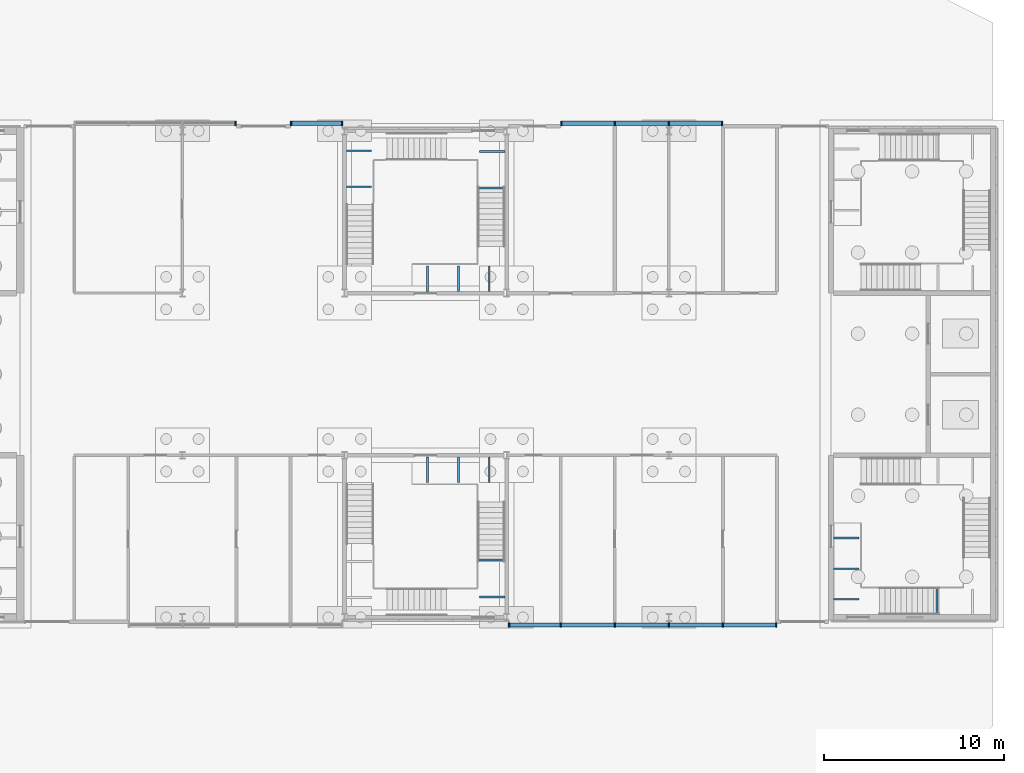
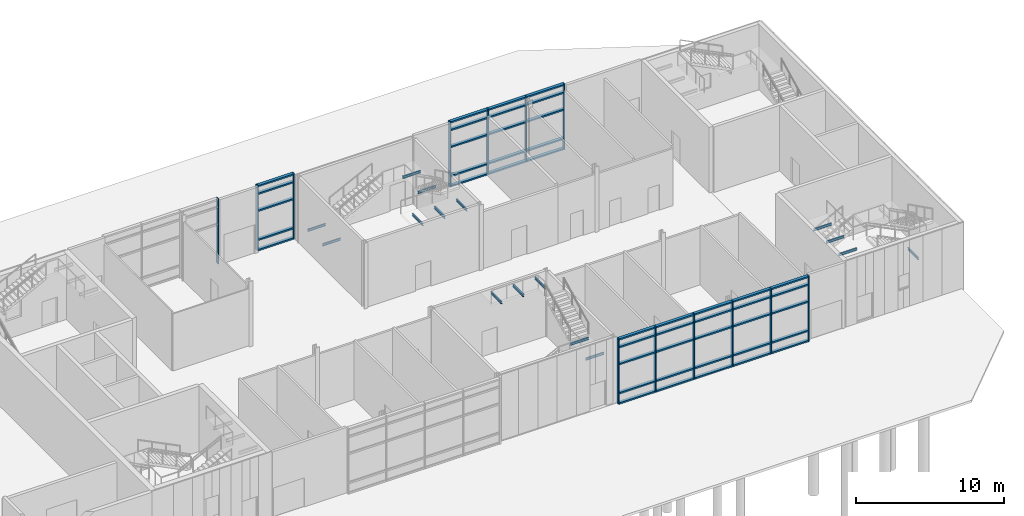
# One storey, part 19 of 45: 58 members, 16 beams, 4 elements without a shape of their own.
"""IFC4 building model written with IfcOpenShell, lengths in metres."""

from ifc_helpers import new_model, si_unit, direction, frame, origin, origin_2d, place, context, subcontext, project, spatial, rectangle, i_section, extrude, material, material_profile, profile_set, type_object, element, aggregate, save


model = new_model("IFC4")

# Units and contexts
model_context = context("Model", 3, precision=1e-05, world=origin(), true_north=direction((0.0, 1.0)))
body_context = subcontext(model_context, "Body", "Model", "MODEL_VIEW")
ifc_project = project(units=[si_unit("LENGTHUNIT", "METRE"), si_unit("AREAUNIT", "SQUARE_METRE"), si_unit("VOLUMEUNIT", "CUBIC_METRE"), si_unit("PLANEANGLEUNIT", "RADIAN"), si_unit("MASSUNIT", "GRAM", prefix="KILO")], contexts=[model_context])

# Site, building, storey
site_placement = place(None, origin())
site = spatial("IfcSite", under=ifc_project, at=site_placement, CompositionType="ELEMENT")
building_placement = place(site_placement, origin())
building = spatial("IfcBuilding", under=site, at=building_placement, Name="Azimuth Sports and Learning Centre", CompositionType="ELEMENT")
storey_placement = place(building_placement, origin())
storey = spatial("IfcBuildingStorey", under=building, at=storey_placement, Name="L00", CompositionType="ELEMENT", Elevation=0.0)

# Beams
ifc_material_1 = material(Name="Steel S355", Category="steel")
ifc_material_profile_1 = material_profile(ifc_material_1, i_section(OverallWidth=0.10009765625, OverallDepth=0.199951171875, WebThickness=0.005615234375, FlangeThickness=0.008544921875, FilletRadius=0.011962890625, at=origin_2d()), Name="IPE 200")
ifc_profile_set_1 = profile_set([ifc_material_profile_1], Name="Steel S355")
beam_type = type_object("IfcBeamType", Name="Beam IPE 200", PredefinedType="BEAM", material=ifc_profile_set_1)
for number, where, z_axis, x_axis, name in (
    (1, (167.87744140625, 90.14990234375, 3.300048828125), (0.0, 1.0, 0.0), (-1.0, 0.0, 0.0), "Landing bracket EW1 L00 783"),
    (2, (162.14990234375, 91.00830078125, 5.10009765625), (1.0, 0.0, 0.0), (0.0, 1.0, 0.0), "Landing bracket EW1 L00 785"),
    (3, (162.14990234375, 92.705078125, 5.10009765625), (1.0, 0.0, 0.0), (0.0, 1.0, 0.0), "Landing bracket EW1 L00 786"),
    (4, (162.14990234375, 94.401611328125, 5.10009765625), (1.0, 0.0, 0.0), (0.0, 1.0, 0.0), "Landing bracket EW1 L00 787"),
):
    element("IfcBeam", number, at=place(storey_placement, frame(where, z_axis=z_axis, x_axis=x_axis)), inside=storey, type_object=beam_type, Name=name, PredefinedType="BEAM", context=body_context, shape_type="SweptSolid", body=[
        extrude(i_section(OverallWidth=0.10009765625, OverallDepth=0.199951171875, WebThickness=0.005615234375, FlangeThickness=0.008544921875, FilletRadius=0.011962890625, at=origin_2d()), origin(), (0.0, 0.0, 1.0), 1.41015625),
    ])
for number, where, z_axis, x_axis, name in (
    (5, (143.89990234375, 91.135009765625, 3.300048828125), (-1.0, 0.0, 0.0), (0.0, -1.0, 0.0), "Landing bracket EM1 L00 919"),
    (6, (143.89990234375, 93.18505859375, 3.300048828125), (-1.0, 0.0, 0.0), (0.0, -1.0, 0.0), "Landing bracket EM1 L00 920"),
    (7, (139.606689453125, 98.89990234375, 5.10009765625), (0.0, -1.0, 0.0), (1.0, 0.0, 0.0), "Landing bracket EM1 L00 921"),
    (8, (141.320068359375, 98.89990234375, 5.10009765625), (0.0, -1.0, 0.0), (1.0, 0.0, 0.0), "Landing bracket EM1 L00 922"),
    (9, (143.033447265625, 98.89990234375, 5.10009765625), (0.0, -1.0, 0.0), (1.0, 0.0, 0.0), "Landing bracket EM1 L00 923"),
    (10, (135.10009765625, 113.904541015625, 1.5), (1.0, 0.0, 0.0), (0.0, 1.0, 0.0), "Landing bracket EM2 L00 951"),
    (11, (135.10009765625, 115.894775390625, 1.5), (1.0, 0.0, 0.0), (0.0, 1.0, 0.0), "Landing bracket EM2 L00 952"),
    (12, (143.89990234375, 113.81494140625, 3.300048828125), (-1.0, 0.0, 0.0), (0.0, -1.0, 0.0), "Landing bracket EM2 L00 953"),
    (13, (143.89990234375, 115.864990234375, 3.300048828125), (-1.0, 0.0, 0.0), (0.0, -1.0, 0.0), "Landing bracket EM2 L00 954"),
    (14, (139.606689453125, 108.10009765625, 5.10009765625), (0.0, 1.0, 0.0), (-1.0, 0.0, 0.0), "Landing bracket EM2 L00 955"),
    (15, (141.320068359375, 108.10009765625, 5.10009765625), (0.0, 1.0, 0.0), (-1.0, 0.0, 0.0), "Landing bracket EM2 L00 956"),
    (16, (143.033447265625, 108.10009765625, 5.10009765625), (0.0, 1.0, 0.0), (-1.0, 0.0, 0.0), "Landing bracket EM2 L00 957"),
):
    element("IfcBeam", number, at=place(storey_placement, frame(where, z_axis=z_axis, x_axis=x_axis)), inside=storey, type_object=beam_type, Name=name, PredefinedType="BEAM", context=body_context, shape_type="SweptSolid", body=[
        extrude(i_section(OverallWidth=0.10009765625, OverallDepth=0.199951171875, WebThickness=0.005615234375, FlangeThickness=0.008544921875, FilletRadius=0.011962890625, at=origin_2d()), origin(), (0.0, 0.0, 1.0), 1.409912109375),
    ])

# Curtain wall, members
ifc_material_2 = material(Name="Aluminium and glass", Category="aluminium")
curtain_wall_type = type_object("IfcCurtainWallType", Name="Curtain wall podium wing 240", PredefinedType="NOTDEFINED", material=ifc_material_2)
curtain_wall_1_placement = place(storey_placement, origin())
curtain_wall_1 = element("IfcCurtainWall", 17, at=curtain_wall_1_placement, inside=storey, type_object=curtain_wall_type, Name="Curtain wall CW00-010", PredefinedType="NOTDEFINED")
ifc_material_3 = material(Name="Aluminium", Category="aluminium")
ifc_material_profile_2 = material_profile(ifc_material_3, rectangle(XDim=0.239990234375, YDim=0.080078125, at=origin_2d()), Name="Mullion 80x240")
ifc_profile_set_2 = profile_set([ifc_material_profile_2], Name="Aluminium")
member_type_1 = type_object("IfcMemberType", Name="Mullion 80x240", PredefinedType="MULLION", material=ifc_profile_set_2)
member_1_placement = place(storey_placement, frame((144.139892578125, 89.580078125, 0.0), z_axis=(0.0, 0.0, 1.0), x_axis=(0.0, 1.0, 0.0)))
member_1 = element("IfcMember", 18, at=member_1_placement, type_object=member_type_1, Name="CW00-010 mullion 1", PredefinedType="MULLION", context=body_context, shape_type="SweptSolid", body=[
    extrude(rectangle(XDim=0.239990234375, YDim=0.080078125, at=origin_2d()), origin(), (0.0, 0.0, 1.0), 5.39990234375),
])
member_2_placement = place(storey_placement, frame((147.0, 89.580078125, 0.0), z_axis=(0.0, 0.0, 1.0), x_axis=(0.0, 1.0, 0.0)))
member_2 = element("IfcMember", 19, at=member_2_placement, type_object=member_type_1, Name="CW00-010 mullion 2", PredefinedType="MULLION", context=body_context, shape_type="SweptSolid", body=[
    extrude(rectangle(XDim=0.239990234375, YDim=0.080078125, at=origin_2d()), origin(), (0.0, 0.0, 1.0), 5.39990234375),
])
member_3_placement = place(storey_placement, frame((150.0, 89.580078125, 0.0), z_axis=(0.0, 0.0, 1.0), x_axis=(0.0, 1.0, 0.0)))
member_3 = element("IfcMember", 20, at=member_3_placement, type_object=member_type_1, Name="CW00-010 mullion 3", PredefinedType="MULLION", context=body_context, shape_type="SweptSolid", body=[
    extrude(rectangle(XDim=0.239990234375, YDim=0.080078125, at=origin_2d()), origin(), (0.0, 0.0, 1.0), 5.39990234375),
])
member_4_placement = place(storey_placement, frame((153.0, 89.580078125, 0.0), z_axis=(0.0, 0.0, 1.0), x_axis=(0.0, 1.0, 0.0)))
member_4 = element("IfcMember", 21, at=member_4_placement, type_object=member_type_1, Name="CW00-010 mullion 4", PredefinedType="MULLION", context=body_context, shape_type="SweptSolid", body=[
    extrude(rectangle(XDim=0.239990234375, YDim=0.080078125, at=origin_2d()), origin(), (0.0, 0.0, 1.0), 5.39990234375),
])
member_5_placement = place(storey_placement, frame((156.0, 89.580078125, 0.0), z_axis=(0.0, 0.0, 1.0), x_axis=(0.0, 1.0, 0.0)))
member_5 = element("IfcMember", 22, at=member_5_placement, type_object=member_type_1, Name="CW00-010 mullion 5", PredefinedType="MULLION", context=body_context, shape_type="SweptSolid", body=[
    extrude(rectangle(XDim=0.239990234375, YDim=0.080078125, at=origin_2d()), origin(), (0.0, 0.0, 1.0), 5.39990234375),
])
member_6_placement = place(storey_placement, frame((158.9599609375, 89.580078125, 0.0), z_axis=(0.0, 0.0, 1.0), x_axis=(0.0, 1.0, 0.0)))
member_6 = element("IfcMember", 23, at=member_6_placement, type_object=member_type_1, Name="CW00-010 mullion 6", PredefinedType="MULLION", context=body_context, shape_type="SweptSolid", body=[
    extrude(rectangle(XDim=0.239990234375, YDim=0.080078125, at=origin_2d()), origin(), (0.0, 0.0, 1.0), 5.39990234375),
])

curtain_wall_2_placement = place(storey_placement, origin())
curtain_wall_2 = element("IfcCurtainWall", 24, at=curtain_wall_2_placement, inside=storey, type_object=curtain_wall_type, Name="Curtain wall CW00-011", PredefinedType="NOTDEFINED")
member_7_placement = place(storey_placement, frame((155.9599609375, 117.419921875, 0.0), z_axis=(0.0, 0.0, 1.0), x_axis=(0.0, -1.0, 0.0)))
member_7 = element("IfcMember", 25, at=member_7_placement, type_object=member_type_1, Name="CW00-011 mullion 1", PredefinedType="MULLION", context=body_context, shape_type="SweptSolid", body=[
    extrude(rectangle(XDim=0.239990234375, YDim=0.080078125, at=origin_2d()), origin(), (0.0, 0.0, 1.0), 5.39990234375),
])
member_8_placement = place(storey_placement, frame((153.0, 117.419921875, 0.0), z_axis=(0.0, 0.0, 1.0), x_axis=(0.0, -1.0, 0.0)))
member_8 = element("IfcMember", 26, at=member_8_placement, type_object=member_type_1, Name="CW00-011 mullion 2", PredefinedType="MULLION", context=body_context, shape_type="SweptSolid", body=[
    extrude(rectangle(XDim=0.239990234375, YDim=0.080078125, at=origin_2d()), origin(), (0.0, 0.0, 1.0), 5.39990234375),
])
member_9_placement = place(storey_placement, frame((150.0, 117.419921875, 0.0), z_axis=(0.0, 0.0, 1.0), x_axis=(0.0, -1.0, 0.0)))
member_9 = element("IfcMember", 27, at=member_9_placement, type_object=member_type_1, Name="CW00-011 mullion 3", PredefinedType="MULLION", context=body_context, shape_type="SweptSolid", body=[
    extrude(rectangle(XDim=0.239990234375, YDim=0.080078125, at=origin_2d()), origin(), (0.0, 0.0, 1.0), 5.39990234375),
])
member_10_placement = place(storey_placement, frame((147.0400390625, 117.419921875, 0.0), z_axis=(0.0, 0.0, 1.0), x_axis=(0.0, -1.0, 0.0)))
member_10 = element("IfcMember", 28, at=member_10_placement, type_object=member_type_1, Name="CW00-011 mullion 4", PredefinedType="MULLION", context=body_context, shape_type="SweptSolid", body=[
    extrude(rectangle(XDim=0.239990234375, YDim=0.080078125, at=origin_2d()), origin(), (0.0, 0.0, 1.0), 5.39990234375),
])

curtain_wall_3_placement = place(storey_placement, origin())
curtain_wall_3 = element("IfcCurtainWall", 29, at=curtain_wall_3_placement, inside=storey, type_object=curtain_wall_type, Name="Curtain wall CW00-012", PredefinedType="NOTDEFINED")
member_11_placement = place(storey_placement, frame((134.860107421875, 117.419921875, 0.0), z_axis=(0.0, 0.0, 1.0), x_axis=(0.0, -1.0, 0.0)))
member_11 = element("IfcMember", 30, at=member_11_placement, type_object=member_type_1, Name="CW00-012 mullion 1", PredefinedType="MULLION", context=body_context, shape_type="SweptSolid", body=[
    extrude(rectangle(XDim=0.239990234375, YDim=0.080078125, at=origin_2d()), origin(), (0.0, 0.0, 1.0), 5.39990234375),
])
member_12_placement = place(storey_placement, frame((132.0400390625, 117.419921875, 0.0), z_axis=(0.0, 0.0, 1.0), x_axis=(0.0, -1.0, 0.0)))
member_12 = element("IfcMember", 31, at=member_12_placement, type_object=member_type_1, Name="CW00-012 mullion 2", PredefinedType="MULLION", context=body_context, shape_type="SweptSolid", body=[
    extrude(rectangle(XDim=0.239990234375, YDim=0.080078125, at=origin_2d()), origin(), (0.0, 0.0, 1.0), 5.39990234375),
])

# Curtain wall, member
curtain_wall_4_placement = place(storey_placement, origin())
curtain_wall_4 = element("IfcCurtainWall", 32, at=curtain_wall_4_placement, inside=storey, type_object=curtain_wall_type, Name="Curtain wall CW00-013", PredefinedType="NOTDEFINED")
member_13_placement = place(storey_placement, frame((128.9599609375, 117.419921875, 0.0), z_axis=(0.0, 0.0, 1.0), x_axis=(0.0, -1.0, 0.0)))
member_13 = element("IfcMember", 33, at=member_13_placement, type_object=member_type_1, Name="CW00-013 mullion 1", PredefinedType="MULLION", context=body_context, shape_type="SweptSolid", body=[
    extrude(rectangle(XDim=0.239990234375, YDim=0.080078125, at=origin_2d()), origin(), (0.0, 0.0, 1.0), 5.39990234375),
])
aggregate(curtain_wall_4, [member_13])

# Member
ifc_material_4 = material(Name="Aluminium", Category="aluminium")
ifc_material_profile_3 = material_profile(ifc_material_4, rectangle(XDim=0.239990234375, YDim=0.1201171875, at=origin_2d()), Name="Transom 120x240")
ifc_profile_set_3 = profile_set([ifc_material_profile_3], Name="Aluminium")
member_type_2 = type_object("IfcMemberType", Name="Transom 120x240", PredefinedType="USERDEFINED", material=ifc_profile_set_3)
member_14_placement = place(storey_placement, frame((144.179931640625, 89.580078125, 0.06005859375), z_axis=(1.0, 0.0, 0.0), x_axis=(0.0, 1.0, 0.0)))
member_14 = element("IfcMember", 34, at=member_14_placement, type_object=member_type_2, Name="CW00-010 transom 1.1", ObjectType="TRANSOM", PredefinedType="USERDEFINED", context=body_context, shape_type="SweptSolid", body=[
    extrude(rectangle(XDim=0.239990234375, YDim=0.1201171875, at=origin_2d()), origin(), (0.0, 0.0, 1.0), 2.780029296875),
])

member_15_placement = place(storey_placement, frame((144.179931640625, 89.580078125, 0.89990234375), z_axis=(1.0, 0.0, 0.0), x_axis=(0.0, 1.0, 0.0)))
member_15 = element("IfcMember", 35, at=member_15_placement, type_object=member_type_2, Name="CW00-010 transom 1.2", ObjectType="TRANSOM", PredefinedType="USERDEFINED", context=body_context, shape_type="SweptSolid", body=[
    extrude(rectangle(XDim=0.239990234375, YDim=0.1201171875, at=origin_2d()), origin(), (0.0, 0.0, 1.0), 2.780029296875),
])

member_16_placement = place(storey_placement, frame((144.179931640625, 89.580078125, 3.300048828125), z_axis=(1.0, 0.0, 0.0), x_axis=(0.0, 1.0, 0.0)))
member_16 = element("IfcMember", 36, at=member_16_placement, type_object=member_type_2, Name="CW00-010 transom 1.3", ObjectType="TRANSOM", PredefinedType="USERDEFINED", context=body_context, shape_type="SweptSolid", body=[
    extrude(rectangle(XDim=0.239990234375, YDim=0.1201171875, at=origin_2d()), origin(), (0.0, 0.0, 1.0), 2.780029296875),
])

member_17_placement = place(storey_placement, frame((144.179931640625, 89.580078125, 4.699951171875), z_axis=(1.0, 0.0, 0.0), x_axis=(0.0, 1.0, 0.0)))
member_17 = element("IfcMember", 37, at=member_17_placement, type_object=member_type_2, Name="CW00-010 transom 1.4", ObjectType="TRANSOM", PredefinedType="USERDEFINED", context=body_context, shape_type="SweptSolid", body=[
    extrude(rectangle(XDim=0.239990234375, YDim=0.1201171875, at=origin_2d()), origin(), (0.0, 0.0, 1.0), 2.780029296875),
])

member_18_placement = place(storey_placement, frame((144.179931640625, 89.580078125, 5.340087890625), z_axis=(1.0, 0.0, 0.0), x_axis=(0.0, 1.0, 0.0)))
member_18 = element("IfcMember", 38, at=member_18_placement, type_object=member_type_2, Name="CW00-010 transom 1.5", ObjectType="TRANSOM", PredefinedType="USERDEFINED", context=body_context, shape_type="SweptSolid", body=[
    extrude(rectangle(XDim=0.239990234375, YDim=0.1201171875, at=origin_2d()), origin(), (0.0, 0.0, 1.0), 2.780029296875),
])

member_19_placement = place(storey_placement, frame((147.0400390625, 89.580078125, 0.06005859375), z_axis=(1.0, 0.0, 0.0), x_axis=(0.0, 1.0, 0.0)))
member_19 = element("IfcMember", 39, at=member_19_placement, type_object=member_type_2, Name="CW00-010 transom 2.1", ObjectType="TRANSOM", PredefinedType="USERDEFINED", context=body_context, shape_type="SweptSolid", body=[
    extrude(rectangle(XDim=0.239990234375, YDim=0.1201171875, at=origin_2d()), origin(), (0.0, 0.0, 1.0), 2.919921875),
])

member_20_placement = place(storey_placement, frame((147.0400390625, 89.580078125, 0.89990234375), z_axis=(1.0, 0.0, 0.0), x_axis=(0.0, 1.0, 0.0)))
member_20 = element("IfcMember", 40, at=member_20_placement, type_object=member_type_2, Name="CW00-010 transom 2.2", ObjectType="TRANSOM", PredefinedType="USERDEFINED", context=body_context, shape_type="SweptSolid", body=[
    extrude(rectangle(XDim=0.239990234375, YDim=0.1201171875, at=origin_2d()), origin(), (0.0, 0.0, 1.0), 2.919921875),
])

member_21_placement = place(storey_placement, frame((147.0400390625, 89.580078125, 3.300048828125), z_axis=(1.0, 0.0, 0.0), x_axis=(0.0, 1.0, 0.0)))
member_21 = element("IfcMember", 41, at=member_21_placement, type_object=member_type_2, Name="CW00-010 transom 2.3", ObjectType="TRANSOM", PredefinedType="USERDEFINED", context=body_context, shape_type="SweptSolid", body=[
    extrude(rectangle(XDim=0.239990234375, YDim=0.1201171875, at=origin_2d()), origin(), (0.0, 0.0, 1.0), 2.919921875),
])

member_22_placement = place(storey_placement, frame((147.0400390625, 89.580078125, 4.699951171875), z_axis=(1.0, 0.0, 0.0), x_axis=(0.0, 1.0, 0.0)))
member_22 = element("IfcMember", 42, at=member_22_placement, type_object=member_type_2, Name="CW00-010 transom 2.4", ObjectType="TRANSOM", PredefinedType="USERDEFINED", context=body_context, shape_type="SweptSolid", body=[
    extrude(rectangle(XDim=0.239990234375, YDim=0.1201171875, at=origin_2d()), origin(), (0.0, 0.0, 1.0), 2.919921875),
])

member_23_placement = place(storey_placement, frame((147.0400390625, 89.580078125, 5.340087890625), z_axis=(1.0, 0.0, 0.0), x_axis=(0.0, 1.0, 0.0)))
member_23 = element("IfcMember", 43, at=member_23_placement, type_object=member_type_2, Name="CW00-010 transom 2.5", ObjectType="TRANSOM", PredefinedType="USERDEFINED", context=body_context, shape_type="SweptSolid", body=[
    extrude(rectangle(XDim=0.239990234375, YDim=0.1201171875, at=origin_2d()), origin(), (0.0, 0.0, 1.0), 2.919921875),
])

member_24_placement = place(storey_placement, frame((150.0400390625, 89.580078125, 0.06005859375), z_axis=(1.0, 0.0, 0.0), x_axis=(0.0, 1.0, 0.0)))
member_24 = element("IfcMember", 44, at=member_24_placement, type_object=member_type_2, Name="CW00-010 transom 3.1", ObjectType="TRANSOM", PredefinedType="USERDEFINED", context=body_context, shape_type="SweptSolid", body=[
    extrude(rectangle(XDim=0.239990234375, YDim=0.1201171875, at=origin_2d()), origin(), (0.0, 0.0, 1.0), 2.919921875),
])

member_25_placement = place(storey_placement, frame((150.0400390625, 89.580078125, 0.89990234375), z_axis=(1.0, 0.0, 0.0), x_axis=(0.0, 1.0, 0.0)))
member_25 = element("IfcMember", 45, at=member_25_placement, type_object=member_type_2, Name="CW00-010 transom 3.2", ObjectType="TRANSOM", PredefinedType="USERDEFINED", context=body_context, shape_type="SweptSolid", body=[
    extrude(rectangle(XDim=0.239990234375, YDim=0.1201171875, at=origin_2d()), origin(), (0.0, 0.0, 1.0), 2.919921875),
])

member_26_placement = place(storey_placement, frame((150.0400390625, 89.580078125, 3.300048828125), z_axis=(1.0, 0.0, 0.0), x_axis=(0.0, 1.0, 0.0)))
member_26 = element("IfcMember", 46, at=member_26_placement, type_object=member_type_2, Name="CW00-010 transom 3.3", ObjectType="TRANSOM", PredefinedType="USERDEFINED", context=body_context, shape_type="SweptSolid", body=[
    extrude(rectangle(XDim=0.239990234375, YDim=0.1201171875, at=origin_2d()), origin(), (0.0, 0.0, 1.0), 2.919921875),
])

member_27_placement = place(storey_placement, frame((150.0400390625, 89.580078125, 4.699951171875), z_axis=(1.0, 0.0, 0.0), x_axis=(0.0, 1.0, 0.0)))
member_27 = element("IfcMember", 47, at=member_27_placement, type_object=member_type_2, Name="CW00-010 transom 3.4", ObjectType="TRANSOM", PredefinedType="USERDEFINED", context=body_context, shape_type="SweptSolid", body=[
    extrude(rectangle(XDim=0.239990234375, YDim=0.1201171875, at=origin_2d()), origin(), (0.0, 0.0, 1.0), 2.919921875),
])

member_28_placement = place(storey_placement, frame((150.0400390625, 89.580078125, 5.340087890625), z_axis=(1.0, 0.0, 0.0), x_axis=(0.0, 1.0, 0.0)))
member_28 = element("IfcMember", 48, at=member_28_placement, type_object=member_type_2, Name="CW00-010 transom 3.5", ObjectType="TRANSOM", PredefinedType="USERDEFINED", context=body_context, shape_type="SweptSolid", body=[
    extrude(rectangle(XDim=0.239990234375, YDim=0.1201171875, at=origin_2d()), origin(), (0.0, 0.0, 1.0), 2.919921875),
])

member_29_placement = place(storey_placement, frame((153.0400390625, 89.580078125, 0.06005859375), z_axis=(1.0, 0.0, 0.0), x_axis=(0.0, 1.0, 0.0)))
member_29 = element("IfcMember", 49, at=member_29_placement, type_object=member_type_2, Name="CW00-010 transom 4.1", ObjectType="TRANSOM", PredefinedType="USERDEFINED", context=body_context, shape_type="SweptSolid", body=[
    extrude(rectangle(XDim=0.239990234375, YDim=0.1201171875, at=origin_2d()), origin(), (0.0, 0.0, 1.0), 2.919921875),
])

member_30_placement = place(storey_placement, frame((153.0400390625, 89.580078125, 0.89990234375), z_axis=(1.0, 0.0, 0.0), x_axis=(0.0, 1.0, 0.0)))
member_30 = element("IfcMember", 50, at=member_30_placement, type_object=member_type_2, Name="CW00-010 transom 4.2", ObjectType="TRANSOM", PredefinedType="USERDEFINED", context=body_context, shape_type="SweptSolid", body=[
    extrude(rectangle(XDim=0.239990234375, YDim=0.1201171875, at=origin_2d()), origin(), (0.0, 0.0, 1.0), 2.919921875),
])

member_31_placement = place(storey_placement, frame((153.0400390625, 89.580078125, 3.300048828125), z_axis=(1.0, 0.0, 0.0), x_axis=(0.0, 1.0, 0.0)))
member_31 = element("IfcMember", 51, at=member_31_placement, type_object=member_type_2, Name="CW00-010 transom 4.3", ObjectType="TRANSOM", PredefinedType="USERDEFINED", context=body_context, shape_type="SweptSolid", body=[
    extrude(rectangle(XDim=0.239990234375, YDim=0.1201171875, at=origin_2d()), origin(), (0.0, 0.0, 1.0), 2.919921875),
])

member_32_placement = place(storey_placement, frame((153.0400390625, 89.580078125, 4.699951171875), z_axis=(1.0, 0.0, 0.0), x_axis=(0.0, 1.0, 0.0)))
member_32 = element("IfcMember", 52, at=member_32_placement, type_object=member_type_2, Name="CW00-010 transom 4.4", ObjectType="TRANSOM", PredefinedType="USERDEFINED", context=body_context, shape_type="SweptSolid", body=[
    extrude(rectangle(XDim=0.239990234375, YDim=0.1201171875, at=origin_2d()), origin(), (0.0, 0.0, 1.0), 2.919921875),
])

member_33_placement = place(storey_placement, frame((153.0400390625, 89.580078125, 5.340087890625), z_axis=(1.0, 0.0, 0.0), x_axis=(0.0, 1.0, 0.0)))
member_33 = element("IfcMember", 53, at=member_33_placement, type_object=member_type_2, Name="CW00-010 transom 4.5", ObjectType="TRANSOM", PredefinedType="USERDEFINED", context=body_context, shape_type="SweptSolid", body=[
    extrude(rectangle(XDim=0.239990234375, YDim=0.1201171875, at=origin_2d()), origin(), (0.0, 0.0, 1.0), 2.919921875),
])

member_34_placement = place(storey_placement, frame((156.0400390625, 89.580078125, 0.06005859375), z_axis=(1.0, 0.0, 0.0), x_axis=(0.0, 1.0, 0.0)))
member_34 = element("IfcMember", 54, at=member_34_placement, type_object=member_type_2, Name="CW00-010 transom 5.1", ObjectType="TRANSOM", PredefinedType="USERDEFINED", context=body_context, shape_type="SweptSolid", body=[
    extrude(rectangle(XDim=0.239990234375, YDim=0.1201171875, at=origin_2d()), origin(), (0.0, 0.0, 1.0), 2.8798828125),
])

member_35_placement = place(storey_placement, frame((156.0400390625, 89.580078125, 0.89990234375), z_axis=(1.0, 0.0, 0.0), x_axis=(0.0, 1.0, 0.0)))
member_35 = element("IfcMember", 55, at=member_35_placement, type_object=member_type_2, Name="CW00-010 transom 5.2", ObjectType="TRANSOM", PredefinedType="USERDEFINED", context=body_context, shape_type="SweptSolid", body=[
    extrude(rectangle(XDim=0.239990234375, YDim=0.1201171875, at=origin_2d()), origin(), (0.0, 0.0, 1.0), 2.8798828125),
])

member_36_placement = place(storey_placement, frame((156.0400390625, 89.580078125, 3.300048828125), z_axis=(1.0, 0.0, 0.0), x_axis=(0.0, 1.0, 0.0)))
member_36 = element("IfcMember", 56, at=member_36_placement, type_object=member_type_2, Name="CW00-010 transom 5.3", ObjectType="TRANSOM", PredefinedType="USERDEFINED", context=body_context, shape_type="SweptSolid", body=[
    extrude(rectangle(XDim=0.239990234375, YDim=0.1201171875, at=origin_2d()), origin(), (0.0, 0.0, 1.0), 2.8798828125),
])

member_37_placement = place(storey_placement, frame((156.0400390625, 89.580078125, 4.699951171875), z_axis=(1.0, 0.0, 0.0), x_axis=(0.0, 1.0, 0.0)))
member_37 = element("IfcMember", 57, at=member_37_placement, type_object=member_type_2, Name="CW00-010 transom 5.4", ObjectType="TRANSOM", PredefinedType="USERDEFINED", context=body_context, shape_type="SweptSolid", body=[
    extrude(rectangle(XDim=0.239990234375, YDim=0.1201171875, at=origin_2d()), origin(), (0.0, 0.0, 1.0), 2.8798828125),
])

member_38_placement = place(storey_placement, frame((156.0400390625, 89.580078125, 5.340087890625), z_axis=(1.0, 0.0, 0.0), x_axis=(0.0, 1.0, 0.0)))
member_38 = element("IfcMember", 58, at=member_38_placement, type_object=member_type_2, Name="CW00-010 transom 5.5", ObjectType="TRANSOM", PredefinedType="USERDEFINED", context=body_context, shape_type="SweptSolid", body=[
    extrude(rectangle(XDim=0.239990234375, YDim=0.1201171875, at=origin_2d()), origin(), (0.0, 0.0, 1.0), 2.8798828125),
])

aggregate(curtain_wall_1, [member_1, member_2, member_3, member_4, member_5, member_6, member_14, member_15, member_16, member_17, member_18, member_19, member_20, member_21, member_22, member_23, member_24, member_25, member_26, member_27, member_28, member_29, member_30, member_31, member_32, member_33, member_34, member_35, member_36, member_37, member_38])

member_39_placement = place(storey_placement, frame((155.919921875, 117.419921875, 0.06005859375), z_axis=(-1.0, 0.0, 0.0), x_axis=(0.0, -1.0, 0.0)))
member_39 = element("IfcMember", 59, at=member_39_placement, type_object=member_type_2, Name="CW00-011 transom 1.1", ObjectType="TRANSOM", PredefinedType="USERDEFINED", context=body_context, shape_type="SweptSolid", body=[
    extrude(rectangle(XDim=0.239990234375, YDim=0.1201171875, at=origin_2d()), origin(), (0.0, 0.0, 1.0), 2.8798828125),
])

member_40_placement = place(storey_placement, frame((155.919921875, 117.419921875, 0.89990234375), z_axis=(-1.0, 0.0, 0.0), x_axis=(0.0, -1.0, 0.0)))
member_40 = element("IfcMember", 60, at=member_40_placement, type_object=member_type_2, Name="CW00-011 transom 1.2", ObjectType="TRANSOM", PredefinedType="USERDEFINED", context=body_context, shape_type="SweptSolid", body=[
    extrude(rectangle(XDim=0.239990234375, YDim=0.1201171875, at=origin_2d()), origin(), (0.0, 0.0, 1.0), 2.8798828125),
])

member_41_placement = place(storey_placement, frame((155.919921875, 117.419921875, 3.300048828125), z_axis=(-1.0, 0.0, 0.0), x_axis=(0.0, -1.0, 0.0)))
member_41 = element("IfcMember", 61, at=member_41_placement, type_object=member_type_2, Name="CW00-011 transom 1.3", ObjectType="TRANSOM", PredefinedType="USERDEFINED", context=body_context, shape_type="SweptSolid", body=[
    extrude(rectangle(XDim=0.239990234375, YDim=0.1201171875, at=origin_2d()), origin(), (0.0, 0.0, 1.0), 2.8798828125),
])

member_42_placement = place(storey_placement, frame((155.919921875, 117.419921875, 4.699951171875), z_axis=(-1.0, 0.0, 0.0), x_axis=(0.0, -1.0, 0.0)))
member_42 = element("IfcMember", 62, at=member_42_placement, type_object=member_type_2, Name="CW00-011 transom 1.4", ObjectType="TRANSOM", PredefinedType="USERDEFINED", context=body_context, shape_type="SweptSolid", body=[
    extrude(rectangle(XDim=0.239990234375, YDim=0.1201171875, at=origin_2d()), origin(), (0.0, 0.0, 1.0), 2.8798828125),
])

member_43_placement = place(storey_placement, frame((155.919921875, 117.419921875, 5.340087890625), z_axis=(-1.0, 0.0, 0.0), x_axis=(0.0, -1.0, 0.0)))
member_43 = element("IfcMember", 63, at=member_43_placement, type_object=member_type_2, Name="CW00-011 transom 1.5", ObjectType="TRANSOM", PredefinedType="USERDEFINED", context=body_context, shape_type="SweptSolid", body=[
    extrude(rectangle(XDim=0.239990234375, YDim=0.1201171875, at=origin_2d()), origin(), (0.0, 0.0, 1.0), 2.8798828125),
])

member_44_placement = place(storey_placement, frame((152.9599609375, 117.419921875, 0.06005859375), z_axis=(-1.0, 0.0, 0.0), x_axis=(0.0, -1.0, 0.0)))
member_44 = element("IfcMember", 64, at=member_44_placement, type_object=member_type_2, Name="CW00-011 transom 2.1", ObjectType="TRANSOM", PredefinedType="USERDEFINED", context=body_context, shape_type="SweptSolid", body=[
    extrude(rectangle(XDim=0.239990234375, YDim=0.1201171875, at=origin_2d()), origin(), (0.0, 0.0, 1.0), 2.919921875),
])

member_45_placement = place(storey_placement, frame((152.9599609375, 117.419921875, 0.89990234375), z_axis=(-1.0, 0.0, 0.0), x_axis=(0.0, -1.0, 0.0)))
member_45 = element("IfcMember", 65, at=member_45_placement, type_object=member_type_2, Name="CW00-011 transom 2.2", ObjectType="TRANSOM", PredefinedType="USERDEFINED", context=body_context, shape_type="SweptSolid", body=[
    extrude(rectangle(XDim=0.239990234375, YDim=0.1201171875, at=origin_2d()), origin(), (0.0, 0.0, 1.0), 2.919921875),
])

member_46_placement = place(storey_placement, frame((152.9599609375, 117.419921875, 3.300048828125), z_axis=(-1.0, 0.0, 0.0), x_axis=(0.0, -1.0, 0.0)))
member_46 = element("IfcMember", 66, at=member_46_placement, type_object=member_type_2, Name="CW00-011 transom 2.3", ObjectType="TRANSOM", PredefinedType="USERDEFINED", context=body_context, shape_type="SweptSolid", body=[
    extrude(rectangle(XDim=0.239990234375, YDim=0.1201171875, at=origin_2d()), origin(), (0.0, 0.0, 1.0), 2.919921875),
])

member_47_placement = place(storey_placement, frame((152.9599609375, 117.419921875, 4.699951171875), z_axis=(-1.0, 0.0, 0.0), x_axis=(0.0, -1.0, 0.0)))
member_47 = element("IfcMember", 67, at=member_47_placement, type_object=member_type_2, Name="CW00-011 transom 2.4", ObjectType="TRANSOM", PredefinedType="USERDEFINED", context=body_context, shape_type="SweptSolid", body=[
    extrude(rectangle(XDim=0.239990234375, YDim=0.1201171875, at=origin_2d()), origin(), (0.0, 0.0, 1.0), 2.919921875),
])

member_48_placement = place(storey_placement, frame((152.9599609375, 117.419921875, 5.340087890625), z_axis=(-1.0, 0.0, 0.0), x_axis=(0.0, -1.0, 0.0)))
member_48 = element("IfcMember", 68, at=member_48_placement, type_object=member_type_2, Name="CW00-011 transom 2.5", ObjectType="TRANSOM", PredefinedType="USERDEFINED", context=body_context, shape_type="SweptSolid", body=[
    extrude(rectangle(XDim=0.239990234375, YDim=0.1201171875, at=origin_2d()), origin(), (0.0, 0.0, 1.0), 2.919921875),
])

member_49_placement = place(storey_placement, frame((149.9599609375, 117.419921875, 0.06005859375), z_axis=(-1.0, 0.0, 0.0), x_axis=(0.0, -1.0, 0.0)))
member_49 = element("IfcMember", 69, at=member_49_placement, type_object=member_type_2, Name="CW00-011 transom 3.1", ObjectType="TRANSOM", PredefinedType="USERDEFINED", context=body_context, shape_type="SweptSolid", body=[
    extrude(rectangle(XDim=0.239990234375, YDim=0.1201171875, at=origin_2d()), origin(), (0.0, 0.0, 1.0), 2.8798828125),
])

member_50_placement = place(storey_placement, frame((149.9599609375, 117.419921875, 0.89990234375), z_axis=(-1.0, 0.0, 0.0), x_axis=(0.0, -1.0, 0.0)))
member_50 = element("IfcMember", 70, at=member_50_placement, type_object=member_type_2, Name="CW00-011 transom 3.2", ObjectType="TRANSOM", PredefinedType="USERDEFINED", context=body_context, shape_type="SweptSolid", body=[
    extrude(rectangle(XDim=0.239990234375, YDim=0.1201171875, at=origin_2d()), origin(), (0.0, 0.0, 1.0), 2.8798828125),
])

member_51_placement = place(storey_placement, frame((149.9599609375, 117.419921875, 3.300048828125), z_axis=(-1.0, 0.0, 0.0), x_axis=(0.0, -1.0, 0.0)))
member_51 = element("IfcMember", 71, at=member_51_placement, type_object=member_type_2, Name="CW00-011 transom 3.3", ObjectType="TRANSOM", PredefinedType="USERDEFINED", context=body_context, shape_type="SweptSolid", body=[
    extrude(rectangle(XDim=0.239990234375, YDim=0.1201171875, at=origin_2d()), origin(), (0.0, 0.0, 1.0), 2.8798828125),
])

member_52_placement = place(storey_placement, frame((149.9599609375, 117.419921875, 4.699951171875), z_axis=(-1.0, 0.0, 0.0), x_axis=(0.0, -1.0, 0.0)))
member_52 = element("IfcMember", 72, at=member_52_placement, type_object=member_type_2, Name="CW00-011 transom 3.4", ObjectType="TRANSOM", PredefinedType="USERDEFINED", context=body_context, shape_type="SweptSolid", body=[
    extrude(rectangle(XDim=0.239990234375, YDim=0.1201171875, at=origin_2d()), origin(), (0.0, 0.0, 1.0), 2.8798828125),
])

member_53_placement = place(storey_placement, frame((149.9599609375, 117.419921875, 5.340087890625), z_axis=(-1.0, 0.0, 0.0), x_axis=(0.0, -1.0, 0.0)))
member_53 = element("IfcMember", 73, at=member_53_placement, type_object=member_type_2, Name="CW00-011 transom 3.5", ObjectType="TRANSOM", PredefinedType="USERDEFINED", context=body_context, shape_type="SweptSolid", body=[
    extrude(rectangle(XDim=0.239990234375, YDim=0.1201171875, at=origin_2d()), origin(), (0.0, 0.0, 1.0), 2.8798828125),
])

aggregate(curtain_wall_2, [member_7, member_8, member_9, member_10, member_39, member_40, member_41, member_42, member_43, member_44, member_45, member_46, member_47, member_48, member_49, member_50, member_51, member_52, member_53])

member_54_placement = place(storey_placement, frame((134.820068359375, 117.419921875, 0.06005859375), z_axis=(-1.0, 0.0, 0.0), x_axis=(0.0, -1.0, 0.0)))
member_54 = element("IfcMember", 74, at=member_54_placement, type_object=member_type_2, Name="CW00-012 transom 1.1", ObjectType="TRANSOM", PredefinedType="USERDEFINED", context=body_context, shape_type="SweptSolid", body=[
    extrude(rectangle(XDim=0.239990234375, YDim=0.1201171875, at=origin_2d()), origin(), (0.0, 0.0, 1.0), 2.739990234375),
])

member_55_placement = place(storey_placement, frame((134.820068359375, 117.419921875, 0.89990234375), z_axis=(-1.0, 0.0, 0.0), x_axis=(0.0, -1.0, 0.0)))
member_55 = element("IfcMember", 75, at=member_55_placement, type_object=member_type_2, Name="CW00-012 transom 1.2", ObjectType="TRANSOM", PredefinedType="USERDEFINED", context=body_context, shape_type="SweptSolid", body=[
    extrude(rectangle(XDim=0.239990234375, YDim=0.1201171875, at=origin_2d()), origin(), (0.0, 0.0, 1.0), 2.739990234375),
])

member_56_placement = place(storey_placement, frame((134.820068359375, 117.419921875, 3.300048828125), z_axis=(-1.0, 0.0, 0.0), x_axis=(0.0, -1.0, 0.0)))
member_56 = element("IfcMember", 76, at=member_56_placement, type_object=member_type_2, Name="CW00-012 transom 1.3", ObjectType="TRANSOM", PredefinedType="USERDEFINED", context=body_context, shape_type="SweptSolid", body=[
    extrude(rectangle(XDim=0.239990234375, YDim=0.1201171875, at=origin_2d()), origin(), (0.0, 0.0, 1.0), 2.739990234375),
])

member_57_placement = place(storey_placement, frame((134.820068359375, 117.419921875, 4.699951171875), z_axis=(-1.0, 0.0, 0.0), x_axis=(0.0, -1.0, 0.0)))
member_57 = element("IfcMember", 77, at=member_57_placement, type_object=member_type_2, Name="CW00-012 transom 1.4", ObjectType="TRANSOM", PredefinedType="USERDEFINED", context=body_context, shape_type="SweptSolid", body=[
    extrude(rectangle(XDim=0.239990234375, YDim=0.1201171875, at=origin_2d()), origin(), (0.0, 0.0, 1.0), 2.739990234375),
])

member_58_placement = place(storey_placement, frame((134.820068359375, 117.419921875, 5.340087890625), z_axis=(-1.0, 0.0, 0.0), x_axis=(0.0, -1.0, 0.0)))
member_58 = element("IfcMember", 78, at=member_58_placement, type_object=member_type_2, Name="CW00-012 transom 1.5", ObjectType="TRANSOM", PredefinedType="USERDEFINED", context=body_context, shape_type="SweptSolid", body=[
    extrude(rectangle(XDim=0.239990234375, YDim=0.1201171875, at=origin_2d()), origin(), (0.0, 0.0, 1.0), 2.739990234375),
])

aggregate(curtain_wall_3, [member_11, member_12, member_54, member_55, member_56, member_57, member_58])

save(model, "model.ifc")
